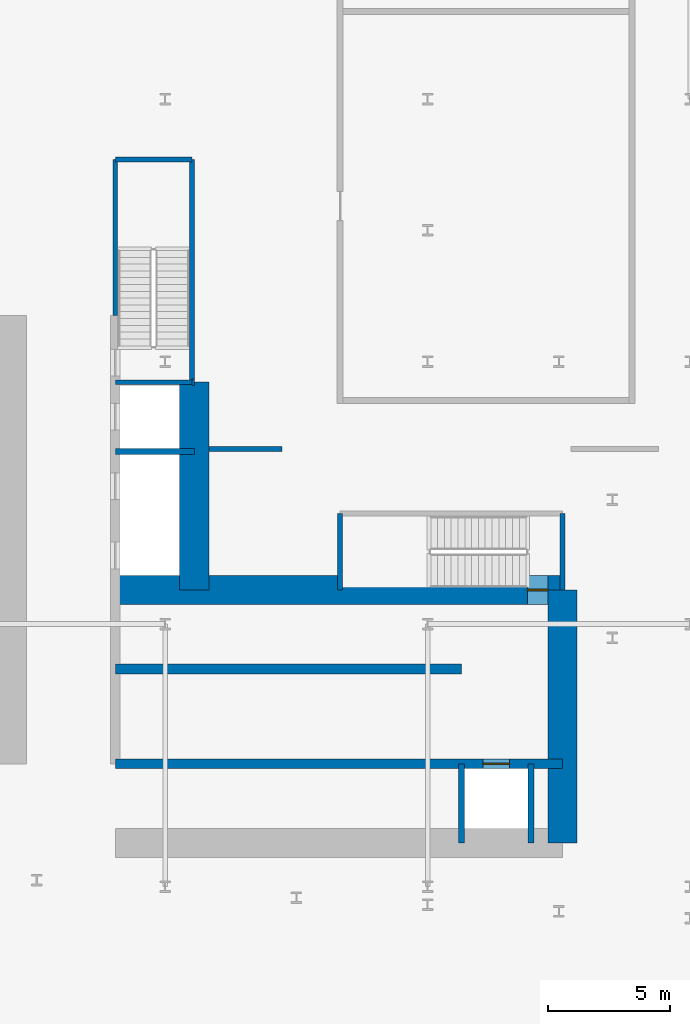
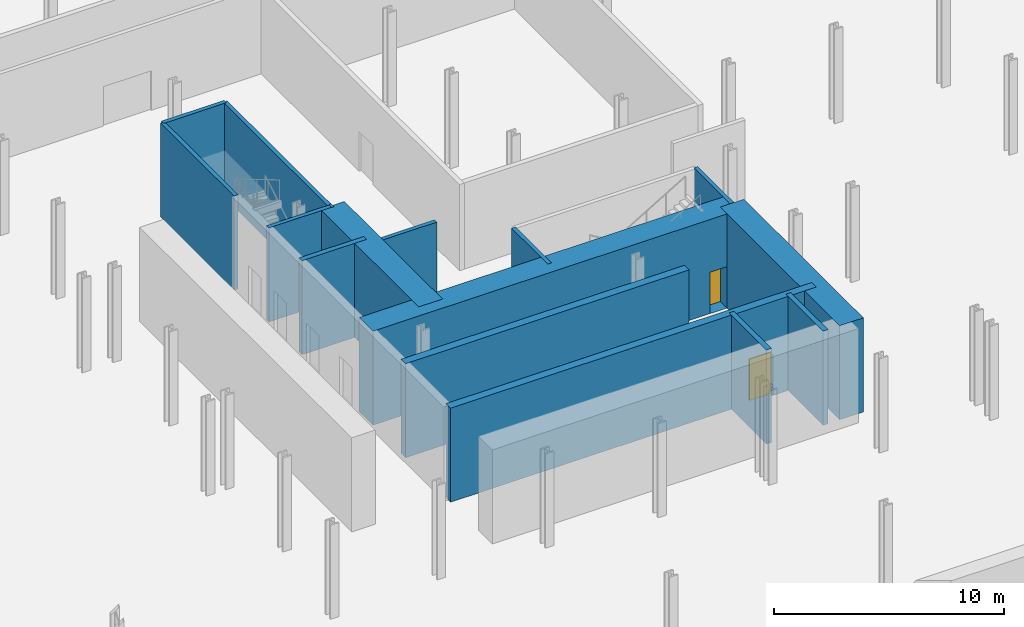
# One storey, part 8 of 19: 16 walls, 2 doors, 2 openings.
"""IFC4 building model written with IfcOpenShell, lengths in metres."""

from ifc_helpers import new_model, si_unit, direction, frame, frame_2d, origin, place, context, subcontext, project, spatial, rectangle, extrude, source, transform, mapped, material, layer, layer_set, type_object, element, fill, save


model = new_model("IFC4")

# Units and contexts
model_context = context("Model", 3, precision=1e-05, world=origin(), true_north=direction((0.0, 1.0)))
body_context = subcontext(model_context, "Body", "Model", "MODEL_VIEW")
ifc_project = project(units=[si_unit("LENGTHUNIT", "METRE"), si_unit("AREAUNIT", "SQUARE_METRE"), si_unit("VOLUMEUNIT", "CUBIC_METRE"), si_unit("PLANEANGLEUNIT", "RADIAN"), si_unit("MASSUNIT", "GRAM", prefix="KILO")], contexts=[model_context])

# Site, building, storey
site_placement = place(None, origin())
site = spatial("IfcSite", under=ifc_project, at=site_placement, CompositionType="ELEMENT")
building_placement = place(site_placement, origin())
building = spatial("IfcBuilding", under=site, at=building_placement, Name="Kheshtan School and Residences Tower", CompositionType="ELEMENT")
storey_placement = place(building_placement, frame((0.0, 0.0, -10.0)))
storey = spatial("IfcBuildingStorey", under=building, at=storey_placement, Name="B2", CompositionType="ELEMENT", Elevation=-10.0)

# Wall, opening, door
ifc_material_1 = material(Name="Concrete C80/95", Category="concrete")
ifc_layer_1 = layer(ifc_material_1, 1.199951171875)
ifc_layer_set_1 = layer_set([ifc_layer_1], Name="Core wall 1200 Concrete C80/95")
wall_type_1 = type_object("IfcWallType", Name="Core wall 1200 Concrete C80/95", PredefinedType="SHEAR", material=ifc_layer_set_1)
wall_1_placement = place(storey_placement, frame((34.75, 36.199951171875, 0.0), z_axis=(0.0, 0.0, 1.0), x_axis=(1.0, 0.0, 0.0)))
wall_1 = element("IfcWall", 1, at=wall_1_placement, inside=storey, type_object=wall_type_1, Name="Core wall CW-FRONT-S", PredefinedType="SHEAR", context=body_context, shape_type="SweptSolid", body=[
    extrude(rectangle(XDim=18.39990234375, YDim=1.199951171875, at=frame_2d((9.199951171875, 0.0))), origin(), (0.0, 0.0, 1.0), 5.0),
])
opening_1_placement = place(wall_1_placement, frame((16.955078125, 0.0, 0.0)))
opening_1 = element("IfcOpeningElement", 2, at=opening_1_placement, cuts=wall_1, Name="Opening ST1B", PredefinedType="OPENING", context=body_context, shape_type="SweptSolid", body=[
    extrude(rectangle(XDim=0.843017578125, YDim=2.199951171875, at=frame_2d((0.42138671875, 1.10009765625))), frame((0.0, 0.60986328125, 0.0), z_axis=(0.0, -1.0, 0.0), x_axis=(1.0, 0.0, 0.0)), (0.0, 0.0, 1.0), 1.219970703125),
])
ifc_material_2 = material(Name="Steel door leaf, galvanised", Category="steel")
door_type_1 = type_object("IfcDoorType", Name="Stair door 1100 steel 90 min", OperationType="SINGLE_SWING_LEFT", PredefinedType="DOOR", material=ifc_material_2)
shared_shape_1 = source(origin(), body_context, "Body", "SweptSolid", [
    extrude(rectangle(XDim=0.843017578125, YDim=2.199951171875, at=frame_2d((0.42138671875, 1.10009765625))), frame((0.0, 0.02490234375, 0.0), z_axis=(0.0, -1.0, 0.0), x_axis=(1.0, 0.0, 0.0)), (0.0, 0.0, 1.0), 0.050048828125),
])
door_1_placement = place(opening_1_placement, origin())
door_1 = element("IfcDoor", 3, at=door_1_placement, inside=storey, type_object=door_type_1, Name="Stair ST1 door", OperationType="SINGLE_SWING_RIGHT", OverallHeight=2.199951171875, OverallWidth=0.843017578125, PredefinedType="DOOR", context=body_context, shape_type="MappedRepresentation", body=[
    mapped(shared_shape_1, transform((0.0, 0.0, 0.0), x_axis=(1.0, 0.0, 0.0), y_axis=(0.0, 1.0, 0.0), z_axis=(0.0, 0.0, 1.0), scale=1.0)),
])
fill(opening_1, door_1)

# Walls
wall_2_placement = place(storey_placement, frame((38.0, 36.199951171875, 0.0), z_axis=(0.0, 0.0, 1.0), x_axis=(0.0, 1.0, 0.0)))
element("IfcWall", 4, at=wall_2_placement, inside=storey, type_object=wall_type_1, Name="Core wall CW-FRONT-W", PredefinedType="SHEAR", context=body_context, shape_type="SweptSolid", body=[
    extrude(rectangle(XDim=8.550048828125, YDim=1.199951171875, at=frame_2d((4.27490234375, 0.0))), origin(), (0.0, 0.0, 1.0), 5.0),
])
wall_3_placement = place(storey_placement, frame((53.14990234375, 25.800048828125, 0.0), z_axis=(0.0, 0.0, 1.0), x_axis=(0.0, 1.0, 0.0)))
element("IfcWall", 5, at=wall_3_placement, inside=storey, type_object=wall_type_1, Name="Core wall CW-EAST", PredefinedType="SHEAR", context=body_context, shape_type="SweptSolid", body=[
    extrude(rectangle(XDim=10.39990234375, YDim=1.199951171875, at=frame_2d((5.199951171875, 0.0))), origin(), (0.0, 0.0, 1.0), 5.0),
])

# Wall, opening, door
ifc_material_3 = material(Name="Concrete C50/60", Category="concrete")
ifc_layer_2 = layer(ifc_material_3, 0.39990234375)
ifc_layer_set_2 = layer_set([ifc_layer_2], Name="Core wall 400 Concrete C50/60")
wall_type_2 = type_object("IfcWallType", Name="Core wall 400 Concrete C50/60", PredefinedType="SHEAR", material=ifc_layer_set_2)
wall_4_placement = place(storey_placement, frame((34.75, 29.050048828125, 0.0), z_axis=(0.0, 0.0, 1.0), x_axis=(1.0, 0.0, 0.0)))
wall_4 = element("IfcWall", 6, at=wall_4_placement, inside=storey, type_object=wall_type_2, Name="Core wall CW-HALL-S1", PredefinedType="SHEAR", context=body_context, shape_type="SweptSolid", body=[
    extrude(rectangle(XDim=18.39990234375, YDim=0.39990234375, at=frame_2d((9.199951171875, 0.0))), origin(), (0.0, 0.0, 1.0), 5.0),
])
opening_2_placement = place(wall_4_placement, frame((15.125, 0.0, 0.0)))
opening_2 = element("IfcOpeningElement", 7, at=opening_2_placement, cuts=wall_4, Name="Opening LD", PredefinedType="OPENING", context=body_context, shape_type="SweptSolid", body=[
    extrude(rectangle(XDim=1.10009765625, YDim=2.199951171875, at=frame_2d((0.550048828125, 1.10009765625))), frame((0.0, 0.2099609375, 0.0), z_axis=(0.0, -1.0, 0.0), x_axis=(1.0, 0.0, 0.0)), (0.0, 0.0, 1.0), 0.419921875),
])
ifc_material_4 = material(Name="Stainless steel door leaves", Category="steel")
door_type_2 = type_object("IfcDoorType", Name="Lift landing door 1100", OperationType="SLIDING_TO_LEFT", PredefinedType="DOOR", material=ifc_material_4)
shared_shape_2 = source(origin(), body_context, "Body", "SweptSolid", [
    extrude(rectangle(XDim=1.10009765625, YDim=2.199951171875, at=frame_2d((0.550048828125, 1.10009765625))), frame((0.0, 0.02490234375, 0.0), z_axis=(0.0, -1.0, 0.0), x_axis=(1.0, 0.0, 0.0)), (0.0, 0.0, 1.0), 0.050048828125),
])
door_2_placement = place(opening_2_placement, origin())
door_2 = element("IfcDoor", 8, at=door_2_placement, inside=storey, type_object=door_type_2, Name="Lift FFL2 landing door", OperationType="SLIDING_TO_LEFT", OverallHeight=2.199951171875, OverallWidth=1.10009765625, PredefinedType="DOOR", context=body_context, shape_type="MappedRepresentation", body=[
    mapped(shared_shape_2, transform((0.0, 0.0, 0.0), x_axis=(1.0, 0.0, 0.0), y_axis=(0.0, 1.0, 0.0), z_axis=(0.0, 0.0, 1.0), scale=1.0)),
])
fill(opening_2, door_2)

# Walls
wall_5_placement = place(storey_placement, frame((34.75, 32.949951171875, 0.0), z_axis=(0.0, 0.0, 1.0), x_axis=(1.0, 0.0, 0.0)))
element("IfcWall", 9, at=wall_5_placement, inside=storey, type_object=wall_type_2, Name="Core wall CW-HALL-S2", PredefinedType="SHEAR", context=body_context, shape_type="SweptSolid", body=[
    extrude(rectangle(XDim=14.25, YDim=0.39990234375, at=frame_2d((7.125, 0.0))), origin(), (0.0, 0.0, 1.0), 5.0),
])
ifc_material_5 = material(Name="Gypsum board on steel studs with fire boards", Category="steel")
ifc_layer_3 = layer(ifc_material_5, 0.199951171875)
ifc_layer_set_3 = layer_set([ifc_layer_3], Name="Corridor wall 200")
wall_type_3 = type_object("IfcWallType", Name="Corridor wall 200", PredefinedType="PARTITIONING", material=ifc_layer_set_3)
wall_6_placement = place(storey_placement, frame((38.59912109375, 42.0, 0.0), z_axis=(0.0, 0.0, 1.0), x_axis=(1.0, 0.0, 0.0)))
element("IfcWall", 10, at=wall_6_placement, inside=storey, type_object=wall_type_3, Name="Partition B2-019", PredefinedType="PARTITIONING", context=body_context, shape_type="SweptSolid", body=[
    extrude(rectangle(XDim=3.0009765625, YDim=0.199951171875, at=frame_2d((1.50048828125, 0.0))), origin(), (0.0, 0.0, 1.0), 4.580078125),
])
ifc_material_6 = material(Name="Fire-board shaft wall system")
ifc_layer_4 = layer(ifc_material_6, 0.25)
ifc_layer_set_4 = layer_set([ifc_layer_4], Name="Shaft lining wall 250")
wall_type_4 = type_object("IfcWallType", Name="Shaft lining wall 250", PredefinedType="PARTITIONING", material=ifc_layer_set_4)
for number, where, z_axis, x_axis, name in (
    (11, (49.0, 25.800048828125, 0.0), (0.0, 0.0, 1.0), (0.0, 1.0, 0.0), "Shaft lining wall"),
    (12, (51.85009765625, 25.800048828125, 0.0), (0.0, 0.0, 1.0), (0.0, 1.0, 0.0), "Shaft lining wall"),
    (13, (34.75, 41.89990234375, 0.0), (0.0, 0.0, 1.0), (1.0, 0.0, 0.0), "Shaft lining wall"),
):
    element("IfcWall", number, at=place(storey_placement, frame(where, z_axis=z_axis, x_axis=x_axis)), inside=storey, type_object=wall_type_4, Name=name, PredefinedType="PARTITIONING", context=body_context, shape_type="SweptSolid", body=[
        extrude(rectangle(XDim=3.25, YDim=0.25, at=frame_2d((1.625, 0.0))), origin(), (0.0, 0.0, 1.0), 5.0),
    ])
wall_7_placement = place(storey_placement, frame((37.89990234375, 44.75, 0.0), z_axis=(0.0, 0.0, 1.0), x_axis=(1.0, 0.0, 0.0)))
element("IfcWall", 14, at=wall_7_placement, inside=storey, type_object=wall_type_4, Name="Shaft lining wall", PredefinedType="PARTITIONING", context=body_context, shape_type="SweptSolid", body=[
    extrude(rectangle(XDim=0.10009765625, YDim=0.25, at=frame_2d((0.050048828125, 0.0))), origin(), (0.0, 0.0, 1.0), 5.0),
])
ifc_material_7 = material(Name="Concrete C40/50", Category="concrete")
ifc_layer_5 = layer(ifc_material_7, 0.199951171875)
ifc_layer_set_5 = layer_set([ifc_layer_5], Name="Stair enclosure wall 200 Concrete C40/50")
wall_type_5 = type_object("IfcWallType", Name="Stair enclosure wall 200 Concrete C40/50", PredefinedType="SHEAR", material=ifc_layer_set_5)
for number, where, z_axis, x_axis, name in (
    (15, (43.989990234375, 36.199951171875, 0.0), (0.0, 0.0, 1.0), (0.0, 1.0, 0.0), "Stair enclosure wall ST1"),
    (16, (53.14990234375, 36.199951171875, 0.0), (0.0, 0.0, 1.0), (0.0, 1.0, 0.0), "Stair enclosure wall ST1"),
):
    element("IfcWall", number, at=place(storey_placement, frame(where, z_axis=z_axis, x_axis=x_axis)), inside=storey, type_object=wall_type_5, Name=name, PredefinedType="SHEAR", context=body_context, shape_type="SweptSolid", body=[
        extrude(rectangle(XDim=3.150146484375, YDim=0.199951171875, at=frame_2d((1.5751953125, 0.0))), origin(), (0.0, 0.0, 1.0), 5.0),
    ])
for number, where, z_axis, x_axis, name in (
    (17, (34.75, 44.75, 0.0), (0.0, 0.0, 1.0), (1.0, 0.0, 0.0), "Stair enclosure wall ST2"),
    (18, (34.75, 53.909912109375, 0.0), (0.0, 0.0, 1.0), (1.0, 0.0, 0.0), "Stair enclosure wall ST2"),
):
    element("IfcWall", number, at=place(storey_placement, frame(where, z_axis=z_axis, x_axis=x_axis)), inside=storey, type_object=wall_type_5, Name=name, PredefinedType="SHEAR", context=body_context, shape_type="SweptSolid", body=[
        extrude(rectangle(XDim=3.14990234375, YDim=0.199951171875, at=frame_2d((1.574951171875, 0.0))), origin(), (0.0, 0.0, 1.0), 5.0),
    ])
wall_8_placement = place(storey_placement, frame((34.75, 47.5, 0.0), z_axis=(0.0, 0.0, 1.0), x_axis=(0.0, 1.0, 0.0)))
element("IfcWall", 19, at=wall_8_placement, inside=storey, type_object=wall_type_5, Name="Stair enclosure wall ST2", PredefinedType="SHEAR", context=body_context, shape_type="SweptSolid", body=[
    extrude(rectangle(XDim=6.409912109375, YDim=0.199951171875, at=frame_2d((3.205078125, 0.0))), origin(), (0.0, 0.0, 1.0), 5.0),
])
wall_9_placement = place(storey_placement, frame((37.89990234375, 44.75, 0.0), z_axis=(0.0, 0.0, 1.0), x_axis=(0.0, 1.0, 0.0)))
element("IfcWall", 20, at=wall_9_placement, inside=storey, type_object=wall_type_5, Name="Stair enclosure wall ST2", PredefinedType="SHEAR", context=body_context, shape_type="SweptSolid", body=[
    extrude(rectangle(XDim=9.159912109375, YDim=0.199951171875, at=frame_2d((4.580078125, 0.0))), origin(), (0.0, 0.0, 1.0), 5.0),
])

save(model, "model.ifc")
